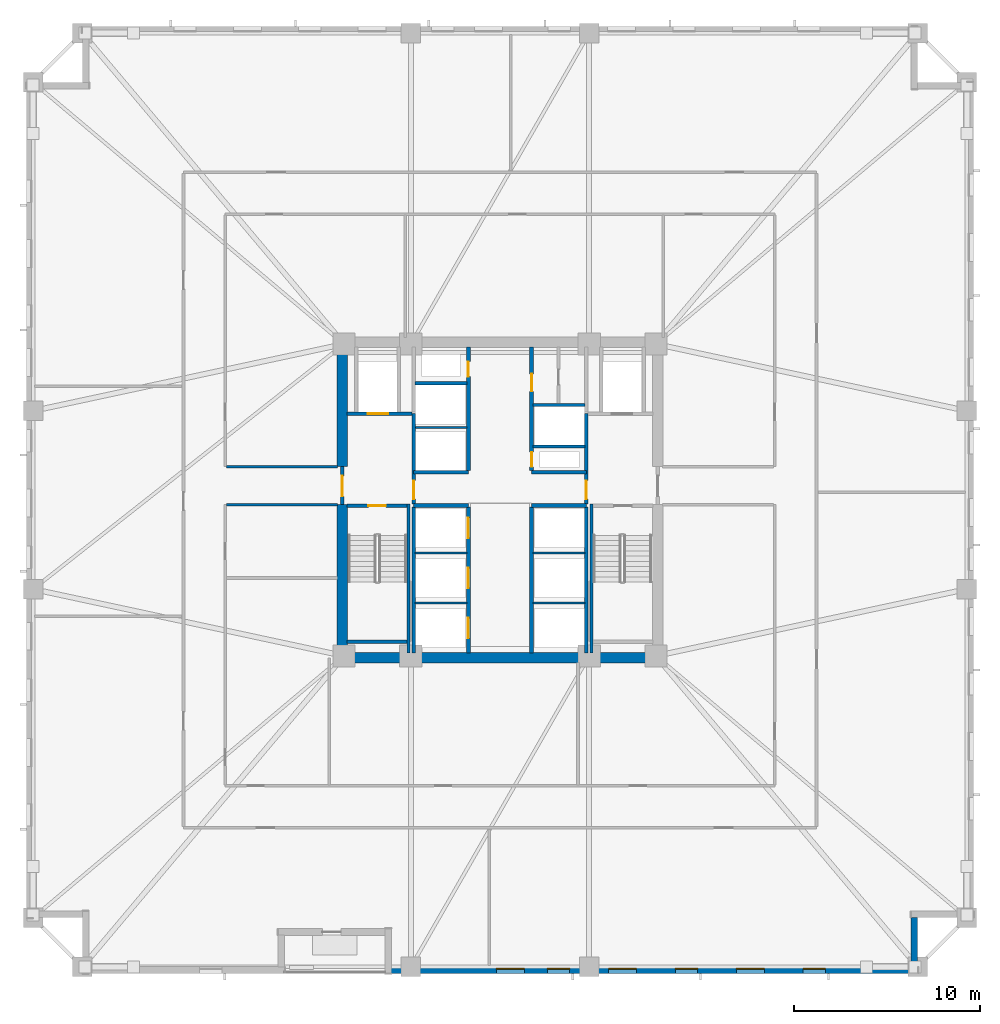
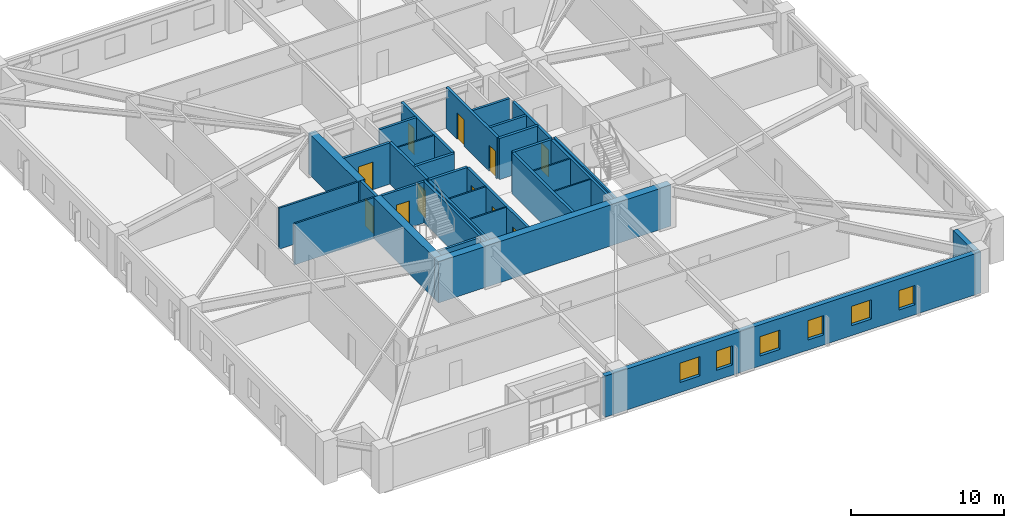
# One storey, part 3 of 10: 33 walls, 11 doors, 6 windows, 17 openings.
"""IFC4 building model written with IfcOpenShell, lengths in metres."""

from ifc_helpers import new_model, si_unit, direction, frame, frame_2d, origin, place, context, subcontext, project, spatial, rectangle, extrude, material, layer, layer_set, type_object, element, fill, save


model = new_model("IFC4")

# Units and contexts
model_context = context("Model", 3, precision=1e-05, world=origin(), true_north=direction((0.0, 1.0)))
body_context = subcontext(model_context, "Body", "Model", "MODEL_VIEW")
ifc_project = project(units=[si_unit("LENGTHUNIT", "METRE"), si_unit("AREAUNIT", "SQUARE_METRE"), si_unit("VOLUMEUNIT", "CUBIC_METRE"), si_unit("PLANEANGLEUNIT", "RADIAN"), si_unit("MASSUNIT", "GRAM", prefix="KILO")], contexts=[model_context])

# Site, building, storey
site_placement = place(None, origin())
site = spatial("IfcSite", under=ifc_project, at=site_placement, CompositionType="ELEMENT")
building_placement = place(site_placement, origin())
building = spatial("IfcBuilding", under=site, at=building_placement, Name="Cairnveth Concourse Tower", CompositionType="ELEMENT")
storey_placement = place(building_placement, frame((0.0, 0.0, 27.0)))
storey = spatial("IfcBuildingStorey", under=building, at=storey_placement, Name="L06", CompositionType="ELEMENT", Elevation=27.0)

# Walls
ifc_material_1 = material(Name="Concrete N80 (80 MPa)", Category="concrete")
ifc_layer_1 = layer(ifc_material_1, 0.550048828125)
ifc_layer_set_1 = layer_set([ifc_layer_1], Name="Concrete N80 (80 MPa)")
wall_type_1 = type_object("IfcWallType", Name="CORE SHEAR WALL 550", PredefinedType="SHEAR", material=ifc_layer_set_1)
wall_1_placement = place(storey_placement, frame((43.22509765625, 30.5, 0.0), z_axis=(0.0, 0.0, 1.0), x_axis=(1.0, 0.0, 0.0)))
element("IfcWall", 1, at=wall_1_placement, inside=storey, type_object=wall_type_1, Name="Core South Shear Wall L06", PredefinedType="SHEAR", context=body_context, shape_type="SweptSolid", body=[
    extrude(rectangle(XDim=17.5498046875, YDim=0.550048828125, at=frame_2d((8.77490234375, 0.0))), origin(), (0.0, 0.0, 1.0), 3.280029296875),
])
wall_2_placement = place(storey_placement, frame((43.5, 30.764892578125, 0.0), z_axis=(0.0, 0.0, 1.0), x_axis=(0.0, 1.0, 0.0)))
element("IfcWall", 2, at=wall_2_placement, inside=storey, type_object=wall_type_1, Name="Core West Shear Wall S L06", PredefinedType="SHEAR", context=body_context, shape_type="SweptSolid", body=[
    extrude(rectangle(XDim=7.985107421875, YDim=0.550048828125, at=frame_2d((3.99267578125, 0.0))), origin(), (0.0, 0.0, 1.0), 3.280029296875),
])
wall_3_placement = place(storey_placement, frame((43.5, 40.800048828125, 0.0), z_axis=(0.0, 0.0, 1.0), x_axis=(0.0, 1.0, 0.0)))
element("IfcWall", 3, at=wall_3_placement, inside=storey, type_object=wall_type_1, Name="Core West Shear Wall N L06", PredefinedType="SHEAR", context=body_context, shape_type="SweptSolid", body=[
    extrude(rectangle(XDim=6.43505859375, YDim=0.550048828125, at=frame_2d((3.217529296875, 0.0))), origin(), (0.0, 0.0, 1.0), 3.280029296875),
])
ifc_material_2 = material(Name="Concrete N50 (50 MPa)", Category="concrete")
ifc_layer_2 = layer(ifc_material_2, 0.179931640625)
ifc_layer_set_2 = layer_set([ifc_layer_2], Name="Concrete N50 (50 MPa)")
wall_type_2 = type_object("IfcWallType", Name="FIRE SHAFT WALL 180", PredefinedType="SOLIDWALL", material=ifc_layer_set_2)
for number, where, z_axis, x_axis, name in (
    (4, (47.35009765625, 30.760009765625, 0.0), (0.0, 0.0, 1.0), (0.0, 1.0, 0.0), "Interior Wall IW-L06-025"),
    (5, (56.64990234375, 30.760009765625, 0.0), (0.0, 0.0, 1.0), (0.0, 1.0, 0.0), "Interior Wall IW-L06-028"),
):
    element("IfcWall", number, at=place(storey_placement, frame(where, z_axis=z_axis, x_axis=x_axis)), inside=storey, type_object=wall_type_2, Name=name, PredefinedType="SOLIDWALL", context=body_context, shape_type="SweptSolid", body=[
        extrude(rectangle(XDim=7.85498046875, YDim=0.179931640625, at=frame_2d((3.927490234375, 0.0))), origin(), (0.0, 0.0, 1.0), 3.280029296875),
    ])
wall_4_placement = place(storey_placement, frame((47.425048828125, 45.280029296875, 0.0), z_axis=(0.0, 0.0, 1.0), x_axis=(1.0, 0.0, 0.0)))
element("IfcWall", 6, at=wall_4_placement, inside=storey, type_object=wall_type_2, Name="Interior Wall IW-L06-033", PredefinedType="SOLIDWALL", context=body_context, shape_type="SweptSolid", body=[
    extrude(rectangle(XDim=2.7900390625, YDim=0.179931640625, at=frame_2d((1.39501953125, 0.0))), origin(), (0.0, 0.0, 1.0), 3.280029296875),
])
wall_5_placement = place(storey_placement, frame((53.784912109375, 41.8798828125, 0.0), z_axis=(0.0, 0.0, 1.0), x_axis=(1.0, 0.0, 0.0)))
element("IfcWall", 7, at=wall_5_placement, inside=storey, type_object=wall_type_2, Name="Interior Wall IW-L06-035", PredefinedType="SOLIDWALL", context=body_context, shape_type="SweptSolid", body=[
    extrude(rectangle(XDim=2.780029296875, YDim=0.179931640625, at=frame_2d((1.39013671875, 0.0))), origin(), (0.0, 0.0, 1.0), 3.280029296875),
])
wall_6_placement = place(storey_placement, frame((53.784912109375, 44.1201171875, 0.0), z_axis=(0.0, 0.0, 1.0), x_axis=(1.0, 0.0, 0.0)))
element("IfcWall", 8, at=wall_6_placement, inside=storey, type_object=wall_type_2, Name="Interior Wall IW-L06-036", PredefinedType="SOLIDWALL", context=body_context, shape_type="SweptSolid", body=[
    extrude(rectangle(XDim=2.7900390625, YDim=0.179931640625, at=frame_2d((1.39501953125, 0.0))), origin(), (0.0, 0.0, 1.0), 3.280029296875),
])

# Wall, opening, door
wall_7_placement = place(storey_placement, frame((43.764892578125, 38.68994140625, 0.0), z_axis=(0.0, 0.0, 1.0), x_axis=(1.0, 0.0, 0.0)))
wall_7 = element("IfcWall", 9, at=wall_7_placement, inside=storey, type_object=wall_type_2, Name="Stair ST-1 Shaft Wall NEAR L06", PredefinedType="SOLIDWALL", context=body_context, shape_type="SweptSolid", body=[
    extrude(rectangle(XDim=3.230224609375, YDim=0.179931640625, at=frame_2d((1.615234375, 0.0))), origin(), (0.0, 0.0, 1.0), 3.280029296875),
])
opening_1_placement = place(wall_7_placement, frame((1.139892578125, 0.0, 0.0)))
opening_1 = element("IfcOpeningElement", 10, at=opening_1_placement, cuts=wall_7, Name="Opening ID12", PredefinedType="OPENING", context=body_context, shape_type="SweptSolid", body=[
    extrude(rectangle(XDim=0.949951171875, YDim=2.14990234375, at=frame_2d((0.47509765625, 1.074951171875))), frame((0.0, 0.099853515625, 0.0), z_axis=(0.0, -1.0, 0.0), x_axis=(1.0, 0.0, 0.0)), (0.0, 0.0, 1.0), 0.199951171875),
])
ifc_material_3 = material(Name="Steel Grade 350", Category="steel")
door_type_1 = type_object("IfcDoorType", Name="FIRE STAIR DOOR 950X2150", OperationType="NOTDEFINED", PredefinedType="DOOR", material=ifc_material_3)
door_1_placement = place(opening_1_placement, origin())
door_1 = element("IfcDoor", 11, at=door_1_placement, inside=storey, type_object=door_type_1, Name="Stair ST-1 Fire Door L06", OperationType="SINGLE_SWING_LEFT", OverallHeight=2.14990234375, OverallWidth=0.949951171875, PredefinedType="DOOR", context=body_context, shape_type="SweptSolid", body=[
    extrude(rectangle(XDim=0.949951171875, YDim=2.14990234375, at=frame_2d((0.47509765625, 1.074951171875))), frame((0.0, 0.02490234375, 0.0), z_axis=(0.0, -1.0, 0.0), x_axis=(1.0, 0.0, 0.0)), (0.0, 0.0, 1.0), 0.050048828125),
])
fill(opening_1, door_1)

# Walls
wall_8_placement = place(storey_placement, frame((43.764892578125, 31.360107421875, 0.0), z_axis=(0.0, 0.0, 1.0), x_axis=(1.0, 0.0, 0.0)))
element("IfcWall", 12, at=wall_8_placement, inside=storey, type_object=wall_type_2, Name="Stair ST-1 Shaft Wall FAR L06", PredefinedType="SOLIDWALL", context=body_context, shape_type="SweptSolid", body=[
    extrude(rectangle(XDim=3.230224609375, YDim=0.179931640625, at=frame_2d((1.615234375, 0.0))), origin(), (0.0, 0.0, 1.0), 3.280029296875),
])
for number, where, z_axis, x_axis, name in (
    (13, (47.070068359375, 38.780029296875, 0.0), (0.0, 0.0, 1.0), (0.0, -1.0, 0.0), "Stair ST-1 Shaft Wall RGHT L06"),
    (14, (56.929931640625, 38.780029296875, 0.0), (0.0, 0.0, 1.0), (0.0, -1.0, 0.0), "Stair ST-2 Shaft Wall LEFT L06"),
):
    element("IfcWall", number, at=place(storey_placement, frame(where, z_axis=z_axis, x_axis=x_axis)), inside=storey, type_object=wall_type_2, Name=name, PredefinedType="SOLIDWALL", context=body_context, shape_type="SweptSolid", body=[
        extrude(rectangle(XDim=8.01708984375, YDim=0.179931640625, at=frame_2d((4.008544921875, 0.0))), origin(), (0.0, 0.0, 1.0), 3.280029296875),
    ])
ifc_layer_3 = layer(ifc_material_2, 0.199951171875)
ifc_layer_set_3 = layer_set([ifc_layer_3], Name="Concrete N50 (50 MPa)")
wall_type_3 = type_object("IfcWallType", Name="FIRE SHAFT WALL 200", PredefinedType="SOLIDWALL", material=ifc_layer_set_3)
for number, where, z_axis, x_axis, name in (
    (15, (47.35009765625, 38.699951171875, 0.0), (0.0, 0.0, 1.0), (1.0, 0.0, 0.0), "Interior Wall IW-L06-007"),
    (16, (47.35009765625, 40.5, 0.0), (0.0, 0.0, 1.0), (1.0, 0.0, 0.0), "Interior Wall IW-L06-008"),
    (17, (53.699951171875, 38.699951171875, 0.0), (0.0, 0.0, 1.0), (1.0, 0.0, 0.0), "Interior Wall IW-L06-009"),
    (18, (53.699951171875, 40.5, 0.0), (0.0, 0.0, 1.0), (1.0, 0.0, 0.0), "Interior Wall IW-L06-010"),
):
    element("IfcWall", number, at=place(storey_placement, frame(where, z_axis=z_axis, x_axis=x_axis)), inside=storey, type_object=wall_type_3, Name=name, PredefinedType="SOLIDWALL", context=body_context, shape_type="SweptSolid", body=[
        extrude(rectangle(XDim=2.949951171875, YDim=0.199951171875, at=frame_2d((1.47509765625, 0.0))), origin(), (0.0, 0.0, 1.0), 3.280029296875),
    ])

# Wall, openings, doors
wall_9_placement = place(storey_placement, frame((50.300048828125, 30.760009765625, 0.0), z_axis=(0.0, 0.0, 1.0), x_axis=(0.0, 1.0, 0.0)))
wall_9 = element("IfcWall", 19, at=wall_9_placement, inside=storey, type_object=wall_type_3, Name="Interior Wall IW-L06-011", PredefinedType="SOLIDWALL", context=body_context, shape_type="SweptSolid", body=[
    extrude(rectangle(XDim=7.85498046875, YDim=0.199951171875, at=frame_2d((3.927490234375, 0.0))), origin(), (0.0, 0.0, 1.0), 3.280029296875),
])
opening_2_placement = place(wall_9_placement, frame((0.7900390625, 0.0, 0.0)))
opening_2 = element("IfcOpeningElement", 20, at=opening_2_placement, cuts=wall_9, Name="Opening LD-1", PredefinedType="OPENING", context=body_context, shape_type="SweptSolid", body=[
    extrude(rectangle(XDim=1.10009765625, YDim=2.199951171875, at=frame_2d((0.550048828125, 1.10009765625))), frame((0.0, 0.10986328125, 0.0), z_axis=(0.0, -1.0, 0.0), x_axis=(1.0, 0.0, 0.0)), (0.0, 0.0, 1.0), 0.219970703125),
])
opening_3_placement = place(wall_9_placement, frame((3.489990234375, 0.0, 0.0)))
opening_3 = element("IfcOpeningElement", 21, at=opening_3_placement, cuts=wall_9, Name="Opening LD-1", PredefinedType="OPENING", context=body_context, shape_type="SweptSolid", body=[
    extrude(rectangle(XDim=1.10009765625, YDim=2.199951171875, at=frame_2d((0.550048828125, 1.10009765625))), frame((0.0, 0.10986328125, 0.0), z_axis=(0.0, -1.0, 0.0), x_axis=(1.0, 0.0, 0.0)), (0.0, 0.0, 1.0), 0.219970703125),
])
opening_4_placement = place(wall_9_placement, frame((6.18994140625, 0.0, 0.0)))
opening_4 = element("IfcOpeningElement", 22, at=opening_4_placement, cuts=wall_9, Name="Opening LD-1", PredefinedType="OPENING", context=body_context, shape_type="SweptSolid", body=[
    extrude(rectangle(XDim=1.10009765625, YDim=2.199951171875, at=frame_2d((0.550048828125, 1.10009765625))), frame((0.0, 0.10986328125, 0.0), z_axis=(0.0, -1.0, 0.0), x_axis=(1.0, 0.0, 0.0)), (0.0, 0.0, 1.0), 0.219970703125),
])
ifc_material_4 = material(Name="Architectural Bronze Anodised Aluminium 6063-T6", Category="aluminium")
door_type_2 = type_object("IfcDoorType", Name="LIFT LANDING DOOR 1100X2200", OperationType="SLIDING_TO_LEFT", PredefinedType="DOOR", material=ifc_material_4)
door_2_placement = place(opening_2_placement, origin())
door_2 = element("IfcDoor", 23, at=door_2_placement, inside=storey, type_object=door_type_2, Name="Lift PL1 Landing Door L06", OperationType="SLIDING_TO_LEFT", OverallHeight=2.199951171875, OverallWidth=1.10009765625, PredefinedType="DOOR", context=body_context, shape_type="SweptSolid", body=[
    extrude(rectangle(XDim=1.10009765625, YDim=2.199951171875, at=frame_2d((0.550048828125, 1.10009765625))), frame((0.0, 0.02490234375, 0.0), z_axis=(0.0, -1.0, 0.0), x_axis=(1.0, 0.0, 0.0)), (0.0, 0.0, 1.0), 0.050048828125),
])
fill(opening_2, door_2)
door_3_placement = place(opening_3_placement, origin())
door_3 = element("IfcDoor", 24, at=door_3_placement, inside=storey, type_object=door_type_2, Name="Lift PL2 Landing Door L06", OperationType="SLIDING_TO_LEFT", OverallHeight=2.199951171875, OverallWidth=1.10009765625, PredefinedType="DOOR", context=body_context, shape_type="SweptSolid", body=[
    extrude(rectangle(XDim=1.10009765625, YDim=2.199951171875, at=frame_2d((0.550048828125, 1.10009765625))), frame((0.0, 0.02490234375, 0.0), z_axis=(0.0, -1.0, 0.0), x_axis=(1.0, 0.0, 0.0)), (0.0, 0.0, 1.0), 0.050048828125),
])
fill(opening_3, door_3)
door_4_placement = place(opening_4_placement, origin())
door_4 = element("IfcDoor", 25, at=door_4_placement, inside=storey, type_object=door_type_2, Name="Lift PL3 Landing Door L06", OperationType="SLIDING_TO_LEFT", OverallHeight=2.199951171875, OverallWidth=1.10009765625, PredefinedType="DOOR", context=body_context, shape_type="SweptSolid", body=[
    extrude(rectangle(XDim=1.10009765625, YDim=2.199951171875, at=frame_2d((0.550048828125, 1.10009765625))), frame((0.0, 0.02490234375, 0.0), z_axis=(0.0, -1.0, 0.0), x_axis=(1.0, 0.0, 0.0)), (0.0, 0.0, 1.0), 0.050048828125),
])
fill(opening_4, door_4)

# Wall
wall_10_placement = place(storey_placement, frame((53.699951171875, 30.760009765625, 0.0), z_axis=(0.0, 0.0, 1.0), x_axis=(0.0, 1.0, 0.0)))
element("IfcWall", 26, at=wall_10_placement, inside=storey, type_object=wall_type_3, Name="Interior Wall IW-L06-012", PredefinedType="SOLIDWALL", context=body_context, shape_type="SweptSolid", body=[
    extrude(rectangle(XDim=7.85498046875, YDim=0.199951171875, at=frame_2d((3.927490234375, 0.0))), origin(), (0.0, 0.0, 1.0), 3.280029296875),
])

# Wall, opening, door
wall_11_placement = place(storey_placement, frame((50.300048828125, 40.5849609375, 0.0), z_axis=(0.0, 0.0, 1.0), x_axis=(0.0, 1.0, 0.0)))
wall_11 = element("IfcWall", 27, at=wall_11_placement, inside=storey, type_object=wall_type_3, Name="Interior Wall IW-L06-013", PredefinedType="SOLIDWALL", context=body_context, shape_type="SweptSolid", body=[
    extrude(rectangle(XDim=6.655029296875, YDim=0.199951171875, at=frame_2d((3.32763671875, 0.0))), origin(), (0.0, 0.0, 1.0), 3.280029296875),
])
opening_5_placement = place(wall_11_placement, frame((5.06494140625, 0.0, 0.0)))
opening_5 = element("IfcOpeningElement", 28, at=opening_5_placement, cuts=wall_11, Name="Opening ID24", PredefinedType="OPENING", context=body_context, shape_type="SweptSolid", body=[
    extrude(rectangle(XDim=0.800048828125, YDim=2.080078125, at=frame_2d((0.39990234375, 1.0400390625))), frame((0.0, 0.10986328125, 0.0), z_axis=(0.0, -1.0, 0.0), x_axis=(1.0, 0.0, 0.0)), (0.0, 0.0, 1.0), 0.219970703125),
])
door_type_3 = type_object("IfcDoorType", Name="RISER ACCESS DOOR 800X2100", OperationType="NOTDEFINED", PredefinedType="DOOR", material=ifc_material_3)
door_5_placement = place(opening_5_placement, origin())
door_5 = element("IfcDoor", 29, at=door_5_placement, inside=storey, type_object=door_type_3, Name="NW Electrical Riser Access Door L06", OperationType="SINGLE_SWING_RIGHT", OverallHeight=2.080078125, OverallWidth=0.800048828125, PredefinedType="DOOR", context=body_context, shape_type="SweptSolid", body=[
    extrude(rectangle(XDim=0.800048828125, YDim=2.080078125, at=frame_2d((0.39990234375, 1.0400390625))), frame((0.0, 0.02490234375, 0.0), z_axis=(0.0, -1.0, 0.0), x_axis=(1.0, 0.0, 0.0)), (0.0, 0.0, 1.0), 0.050048828125),
])
fill(opening_5, door_5)

# Wall, openings, doors
wall_12_placement = place(storey_placement, frame((53.699951171875, 40.5849609375, 0.0), z_axis=(0.0, 0.0, 1.0), x_axis=(0.0, 1.0, 0.0)))
wall_12 = element("IfcWall", 30, at=wall_12_placement, inside=storey, type_object=wall_type_3, Name="Interior Wall IW-L06-014", PredefinedType="SOLIDWALL", context=body_context, shape_type="SweptSolid", body=[
    extrude(rectangle(XDim=6.655029296875, YDim=0.199951171875, at=frame_2d((3.32763671875, 0.0))), origin(), (0.0, 0.0, 1.0), 3.280029296875),
])
opening_6_placement = place(wall_12_placement, frame((0.195068359375, 0.0, 0.0)))
opening_6 = element("IfcOpeningElement", 31, at=opening_6_placement, cuts=wall_12, Name="Opening ID24", PredefinedType="OPENING", context=body_context, shape_type="SweptSolid", body=[
    extrude(rectangle(XDim=0.800048828125, YDim=2.080078125, at=frame_2d((0.39990234375, 1.0400390625))), frame((0.0, 0.10986328125, 0.0), z_axis=(0.0, -1.0, 0.0), x_axis=(1.0, 0.0, 0.0)), (0.0, 0.0, 1.0), 0.219970703125),
])
opening_7_placement = place(wall_12_placement, frame((4.264892578125, 0.0, 0.0)))
opening_7 = element("IfcOpeningElement", 32, at=opening_7_placement, cuts=wall_12, Name="Opening ID25", PredefinedType="OPENING", context=body_context, shape_type="SweptSolid", body=[
    extrude(rectangle(XDim=0.949951171875, YDim=2.1201171875, at=frame_2d((0.47509765625, 1.06005859375))), frame((0.0, 0.10986328125, 0.0), z_axis=(0.0, -1.0, 0.0), x_axis=(1.0, 0.0, 0.0)), (0.0, 0.0, 1.0), 0.219970703125),
])
door_type_4 = type_object("IfcDoorType", Name="CORE ACCESSIBLE FIRE DOOR 950X2120", OperationType="NOTDEFINED", PredefinedType="DOOR", material=ifc_material_3)
door_6_placement = place(opening_7_placement, origin())
door_6 = element("IfcDoor", 33, at=door_6_placement, inside=storey, type_object=door_type_4, Name="Core NE Restroom Door L06", OperationType="SINGLE_SWING_RIGHT", OverallHeight=2.1201171875, OverallWidth=0.949951171875, PredefinedType="DOOR", context=body_context, shape_type="SweptSolid", body=[
    extrude(rectangle(XDim=0.949951171875, YDim=2.1201171875, at=frame_2d((0.47509765625, 1.06005859375))), frame((0.0, 0.02490234375, 0.0), z_axis=(0.0, -1.0, 0.0), x_axis=(1.0, 0.0, 0.0)), (0.0, 0.0, 1.0), 0.050048828125),
])
fill(opening_7, door_6)
door_7_placement = place(opening_6_placement, origin())
door_7 = element("IfcDoor", 34, at=door_7_placement, inside=storey, type_object=door_type_3, Name="Hydraulic Riser Door L06", OperationType="SINGLE_SWING_LEFT", OverallHeight=2.080078125, OverallWidth=0.800048828125, PredefinedType="DOOR", context=body_context, shape_type="SweptSolid", body=[
    extrude(rectangle(XDim=0.800048828125, YDim=2.080078125, at=frame_2d((0.39990234375, 1.0400390625))), frame((0.0, 0.02490234375, 0.0), z_axis=(0.0, -1.0, 0.0), x_axis=(1.0, 0.0, 0.0)), (0.0, 0.0, 1.0), 0.050048828125),
])
fill(opening_6, door_7)

# Wall, opening, door
wall_13_placement = place(storey_placement, frame((43.5, 38.75, 0.0), z_axis=(0.0, 0.0, 1.0), x_axis=(0.0, 1.0, 0.0)))
wall_13 = element("IfcWall", 35, at=wall_13_placement, inside=storey, type_object=wall_type_3, Name="Interior Wall IW-L06-015", PredefinedType="SOLIDWALL", context=body_context, shape_type="SweptSolid", body=[
    extrude(rectangle(XDim=2.050048828125, YDim=0.199951171875, at=frame_2d((1.02490234375, 0.0))), origin(), (0.0, 0.0, 1.0), 3.280029296875),
])
opening_8_placement = place(wall_13_placement, frame((0.449951171875, 0.0, 0.0)))
opening_8 = element("IfcOpeningElement", 36, at=opening_8_placement, cuts=wall_13, Name="Opening ID06", PredefinedType="OPENING", context=body_context, shape_type="SweptSolid", body=[
    extrude(rectangle(XDim=1.10009765625, YDim=2.14990234375, at=frame_2d((0.550048828125, 1.074951171875))), frame((0.0, 0.10986328125, 0.0), z_axis=(0.0, -1.0, 0.0), x_axis=(1.0, 0.0, 0.0)), (0.0, 0.0, 1.0), 0.219970703125),
])
door_type_5 = type_object("IfcDoorType", Name="FIRE CORRIDOR DOOR 1100X2150", OperationType="NOTDEFINED", PredefinedType="DOOR", material=ifc_material_3)
door_8_placement = place(opening_8_placement, origin())
door_8 = element("IfcDoor", 37, at=door_8_placement, inside=storey, type_object=door_type_5, Name="West Wing to FF Lobby Door L06", OperationType="SINGLE_SWING_LEFT", OverallHeight=2.14990234375, OverallWidth=1.10009765625, PredefinedType="DOOR", context=body_context, shape_type="SweptSolid", body=[
    extrude(rectangle(XDim=1.10009765625, YDim=2.14990234375, at=frame_2d((0.550048828125, 1.074951171875))), frame((0.0, 0.02490234375, 0.0), z_axis=(0.0, -1.0, 0.0), x_axis=(1.0, 0.0, 0.0)), (0.0, 0.0, 1.0), 0.050048828125),
])
fill(opening_8, door_8)

wall_14_placement = place(storey_placement, frame((47.35009765625, 38.784912109375, 0.0), z_axis=(0.0, 0.0, 1.0), x_axis=(0.0, 1.0, 0.0)))
wall_14 = element("IfcWall", 38, at=wall_14_placement, inside=storey, type_object=wall_type_3, Name="Interior Wall IW-L06-016", PredefinedType="SOLIDWALL", context=body_context, shape_type="SweptSolid", body=[
    extrude(rectangle(XDim=4.864990234375, YDim=0.199951171875, at=frame_2d((2.4326171875, 0.0))), origin(), (0.0, 0.0, 1.0), 3.280029296875),
])
opening_9_placement = place(wall_14_placement, frame((0.264892578125, 0.0, 0.0)))
opening_9 = element("IfcOpeningElement", 39, at=opening_9_placement, cuts=wall_14, Name="Opening ID07", PredefinedType="OPENING", context=body_context, shape_type="SweptSolid", body=[
    extrude(rectangle(XDim=1.0, YDim=2.14990234375, at=frame_2d((0.5, 1.074951171875))), frame((0.0, 0.10986328125, 0.0), z_axis=(0.0, -1.0, 0.0), x_axis=(1.0, 0.0, 0.0)), (0.0, 0.0, 1.0), 0.219970703125),
])
door_type_6 = type_object("IfcDoorType", Name="FIRE CORRIDOR DOOR 1000X2150", OperationType="NOTDEFINED", PredefinedType="DOOR", material=ifc_material_3)
door_9_placement = place(opening_9_placement, origin())
door_9 = element("IfcDoor", 40, at=door_9_placement, inside=storey, type_object=door_type_6, Name="FF Lobby West to Lift Lobby Door L06", OperationType="SINGLE_SWING_RIGHT", OverallHeight=2.14990234375, OverallWidth=1.0, PredefinedType="DOOR", context=body_context, shape_type="SweptSolid", body=[
    extrude(rectangle(XDim=1.0, YDim=2.14990234375, at=frame_2d((0.5, 1.074951171875))), frame((0.0, 0.02490234375, 0.0), z_axis=(0.0, -1.0, 0.0), x_axis=(1.0, 0.0, 0.0)), (0.0, 0.0, 1.0), 0.050048828125),
])
fill(opening_9, door_9)

wall_15_placement = place(storey_placement, frame((43.760009765625, 43.64990234375, 0.0), z_axis=(0.0, 0.0, 1.0), x_axis=(1.0, 0.0, 0.0)))
wall_15 = element("IfcWall", 41, at=wall_15_placement, inside=storey, type_object=wall_type_3, Name="Interior Wall IW-L06-017", PredefinedType="SOLIDWALL", context=body_context, shape_type="SweptSolid", body=[
    extrude(rectangle(XDim=3.5048828125, YDim=0.199951171875, at=frame_2d((1.75244140625, 0.0))), origin(), (0.0, 0.0, 1.0), 3.280029296875),
])
opening_10_placement = place(wall_15_placement, frame((1.110107421875, 0.0, 0.0)))
opening_10 = element("IfcOpeningElement", 42, at=opening_10_placement, cuts=wall_15, Name="Opening LD-1", PredefinedType="OPENING", context=body_context, shape_type="SweptSolid", body=[
    extrude(rectangle(XDim=1.10009765625, YDim=2.199951171875, at=frame_2d((0.550048828125, 1.10009765625))), frame((0.0, 0.10986328125, 0.0), z_axis=(0.0, -1.0, 0.0), x_axis=(1.0, 0.0, 0.0)), (0.0, 0.0, 1.0), 0.219970703125),
])
door_10_placement = place(opening_10_placement, origin())
door_10 = element("IfcDoor", 43, at=door_10_placement, inside=storey, type_object=door_type_2, Name="Lift FFL1 Landing Door L06", OperationType="SLIDING_TO_LEFT", OverallHeight=2.199951171875, OverallWidth=1.10009765625, PredefinedType="DOOR", context=body_context, shape_type="SweptSolid", body=[
    extrude(rectangle(XDim=1.10009765625, YDim=2.199951171875, at=frame_2d((0.550048828125, 1.10009765625))), frame((0.0, 0.02490234375, 0.0), z_axis=(0.0, -1.0, 0.0), x_axis=(1.0, 0.0, 0.0)), (0.0, 0.0, 1.0), 0.050048828125),
])
fill(opening_10, door_10)

wall_16_placement = place(storey_placement, frame((56.64990234375, 38.784912109375, 0.0), z_axis=(0.0, 0.0, 1.0), x_axis=(0.0, 1.0, 0.0)))
wall_16 = element("IfcWall", 44, at=wall_16_placement, inside=storey, type_object=wall_type_3, Name="Interior Wall IW-L06-021", PredefinedType="SOLIDWALL", context=body_context, shape_type="SweptSolid", body=[
    extrude(rectangle(XDim=4.864990234375, YDim=0.199951171875, at=frame_2d((2.4326171875, 0.0))), origin(), (0.0, 0.0, 1.0), 3.280029296875),
])
opening_11_placement = place(wall_16_placement, frame((0.264892578125, 0.0, 0.0)))
opening_11 = element("IfcOpeningElement", 45, at=opening_11_placement, cuts=wall_16, Name="Opening ID07", PredefinedType="OPENING", context=body_context, shape_type="SweptSolid", body=[
    extrude(rectangle(XDim=1.0, YDim=2.14990234375, at=frame_2d((0.5, 1.074951171875))), frame((0.0, 0.10986328125, 0.0), z_axis=(0.0, -1.0, 0.0), x_axis=(1.0, 0.0, 0.0)), (0.0, 0.0, 1.0), 0.219970703125),
])
door_11_placement = place(opening_11_placement, origin())
door_11 = element("IfcDoor", 46, at=door_11_placement, inside=storey, type_object=door_type_6, Name="FF Lobby East to Lift Lobby Door L06", OperationType="SINGLE_SWING_LEFT", OverallHeight=2.14990234375, OverallWidth=1.0, PredefinedType="DOOR", context=body_context, shape_type="SweptSolid", body=[
    extrude(rectangle(XDim=1.0, YDim=2.14990234375, at=frame_2d((0.5, 1.074951171875))), frame((0.0, 0.02490234375, 0.0), z_axis=(0.0, -1.0, 0.0), x_axis=(1.0, 0.0, 0.0)), (0.0, 0.0, 1.0), 0.050048828125),
])
fill(opening_11, door_11)

# Walls
ifc_material_5 = material(Name="Gypsum Plasterboard Partition", Category="gypsum")
ifc_layer_4 = layer(ifc_material_5, 0.139892578125)
ifc_layer_set_4 = layer_set([ifc_layer_4], Name="Gypsum Plasterboard Partition")
wall_type_4 = type_object("IfcWallType", Name="GYPSUM STUD PARTITION 140", PredefinedType="PARTITIONING", material=ifc_layer_set_4)
for number, where, z_axis, x_axis, name in (
    (47, (37.2548828125, 38.75, 0.0), (0.0, 0.0, 1.0), (1.0, 0.0, 0.0), "Interior Wall IW-L06-046"),
    (48, (37.2548828125, 40.800048828125, 0.0), (0.0, 0.0, 1.0), (1.0, 0.0, 0.0), "Interior Wall IW-L06-047"),
):
    element("IfcWall", number, at=place(storey_placement, frame(where, z_axis=z_axis, x_axis=x_axis)), inside=storey, type_object=wall_type_4, Name=name, PredefinedType="PARTITIONING", context=body_context, shape_type="SweptSolid", body=[
        extrude(rectangle(XDim=5.985107421875, YDim=0.139892578125, at=frame_2d((2.99267578125, 0.0))), origin(), (0.0, 0.0, 1.0), 3.280029296875),
    ])
ifc_layer_5 = layer(ifc_material_5, 0.110107421875)
ifc_layer_set_5 = layer_set([ifc_layer_5], Name="Gypsum Plasterboard Partition")
wall_type_5 = type_object("IfcWallType", Name="SHAFT DIVIDER WALL 140", PredefinedType="PARTITIONING", material=ifc_layer_set_5)
for number, where, z_axis, x_axis, name in (
    (49, (47.425048828125, 33.449951171875, 0.0), (0.0, 0.0, 1.0), (1.0, 0.0, 0.0), "Interior Wall IW-L06-026"),
    (50, (47.425048828125, 36.14990234375, 0.0), (0.0, 0.0, 1.0), (1.0, 0.0, 0.0), "Interior Wall IW-L06-027"),
    (51, (53.784912109375, 33.449951171875, 0.0), (0.0, 0.0, 1.0), (1.0, 0.0, 0.0), "Interior Wall IW-L06-029"),
    (52, (53.784912109375, 36.14990234375, 0.0), (0.0, 0.0, 1.0), (1.0, 0.0, 0.0), "Interior Wall IW-L06-030"),
):
    element("IfcWall", number, at=place(storey_placement, frame(where, z_axis=z_axis, x_axis=x_axis)), inside=storey, type_object=wall_type_5, Name=name, PredefinedType="PARTITIONING", context=body_context, shape_type="SweptSolid", body=[
        extrude(rectangle(XDim=2.7900390625, YDim=0.110107421875, at=frame_2d((1.39501953125, 0.0))), origin(), (0.0, 0.0, 1.0), 3.280029296875),
    ])
wall_17_placement = place(storey_placement, frame((47.43505859375, 42.89990234375, 0.0), z_axis=(0.0, 0.0, 1.0), x_axis=(1.0, 0.0, 0.0)))
element("IfcWall", 53, at=wall_17_placement, inside=storey, type_object=wall_type_5, Name="Interior Wall IW-L06-032", PredefinedType="PARTITIONING", context=body_context, shape_type="SweptSolid", body=[
    extrude(rectangle(XDim=2.780029296875, YDim=0.110107421875, at=frame_2d((1.39013671875, 0.0))), origin(), (0.0, 0.0, 1.0), 3.280029296875),
])
ifc_material_6 = material(Name="Hawthorn Red-Ochre Fired Clay Brick Masonry", Category="masonry")
ifc_layer_6 = layer(ifc_material_6, 0.360107421875)
ifc_layer_set_6 = layer_set([ifc_layer_6], Name="Hawthorn Red-Ochre Fired Clay Brick Masonry")
wall_type_6 = type_object("IfcWallType", Name="ZONE 1 BRICK PIER SPANDREL WALL 360", PredefinedType="SOLIDWALL", material=ifc_layer_set_6)
wall_18_placement = place(storey_placement, frame((74.320068359375, 16.52197265625, 0.0), z_axis=(0.0, 0.0, 1.0), x_axis=(0.0, -1.0, 0.0)))
element("IfcWall", 54, at=wall_18_placement, inside=storey, type_object=wall_type_6, Name="Exterior Wall EW-L06-S11", PredefinedType="SOLIDWALL", context=body_context, shape_type="SweptSolid", body=[
    extrude(rectangle(XDim=2.68408203125, YDim=0.360107421875, at=frame_2d((1.342041015625, 0.0))), origin(), (0.0, 0.0, 1.0), 3.280029296875),
])

# Wall, openings, windows
wall_19_placement = place(storey_placement, frame((74.5, 13.679931640625, 0.0), z_axis=(0.0, 0.0, 1.0), x_axis=(-1.0, 0.0, 0.0)))
wall_19 = element("IfcWall", 55, at=wall_19_placement, inside=storey, type_object=wall_type_6, Name="Exterior Wall EW-L06-S12", PredefinedType="SOLIDWALL", context=body_context, shape_type="SweptSolid", body=[
    extrude(rectangle(XDim=28.362060546875, YDim=0.360107421875, at=frame_2d((14.18115234375, 0.0))), origin(), (0.0, 0.0, 1.0), 3.280029296875),
])
opening_12_placement = place(wall_19_placement, frame((4.9716796875, 0.0, 0.800048828125)))
opening_12 = element("IfcOpeningElement", 56, at=opening_12_placement, cuts=wall_19, Name="Opening W01", PredefinedType="OPENING", context=body_context, shape_type="SweptSolid", body=[
    extrude(rectangle(XDim=1.199951171875, YDim=1.5439453125, at=frame_2d((0.60009765625, 0.77197265625))), frame((0.0, 0.18994140625, 0.0), z_axis=(0.0, -1.0, 0.0), x_axis=(1.0, 0.0, 0.0)), (0.0, 0.0, 1.0), 0.380126953125),
])
opening_13_placement = place(wall_19_placement, frame((8.265380859375, 0.0, 0.800048828125)))
opening_13 = element("IfcOpeningElement", 57, at=opening_13_placement, cuts=wall_19, Name="Opening W03", PredefinedType="OPENING", context=body_context, shape_type="SweptSolid", body=[
    extrude(rectangle(XDim=1.5, YDim=1.5439453125, at=frame_2d((0.75, 0.77197265625))), frame((0.0, 0.18994140625, 0.0), z_axis=(0.0, -1.0, 0.0), x_axis=(1.0, 0.0, 0.0)), (0.0, 0.0, 1.0), 0.380126953125),
])
opening_14_placement = place(wall_19_placement, frame((11.859130859375, 0.0, 0.800048828125)))
opening_14 = element("IfcOpeningElement", 58, at=opening_14_placement, cuts=wall_19, Name="Opening W01", PredefinedType="OPENING", context=body_context, shape_type="SweptSolid", body=[
    extrude(rectangle(XDim=1.199951171875, YDim=1.5439453125, at=frame_2d((0.60009765625, 0.77197265625))), frame((0.0, 0.18994140625, 0.0), z_axis=(0.0, -1.0, 0.0), x_axis=(1.0, 0.0, 0.0)), (0.0, 0.0, 1.0), 0.380126953125),
])
opening_15_placement = place(wall_19_placement, frame((15.15283203125, 0.0, 0.800048828125)))
opening_15 = element("IfcOpeningElement", 59, at=opening_15_placement, cuts=wall_19, Name="Opening W03", PredefinedType="OPENING", context=body_context, shape_type="SweptSolid", body=[
    extrude(rectangle(XDim=1.5, YDim=1.5439453125, at=frame_2d((0.75, 0.77197265625))), frame((0.0, 0.18994140625, 0.0), z_axis=(0.0, -1.0, 0.0), x_axis=(1.0, 0.0, 0.0)), (0.0, 0.0, 1.0), 0.380126953125),
])
opening_16_placement = place(wall_19_placement, frame((18.74658203125, 0.0, 0.800048828125)))
opening_16 = element("IfcOpeningElement", 60, at=opening_16_placement, cuts=wall_19, Name="Opening W01", PredefinedType="OPENING", context=body_context, shape_type="SweptSolid", body=[
    extrude(rectangle(XDim=1.199951171875, YDim=1.5439453125, at=frame_2d((0.60009765625, 0.77197265625))), frame((0.0, 0.18994140625, 0.0), z_axis=(0.0, -1.0, 0.0), x_axis=(1.0, 0.0, 0.0)), (0.0, 0.0, 1.0), 0.380126953125),
])
opening_17_placement = place(wall_19_placement, frame((21.190185546875, 0.0, 0.800048828125)))
opening_17 = element("IfcOpeningElement", 61, at=opening_17_placement, cuts=wall_19, Name="Opening W03", PredefinedType="OPENING", context=body_context, shape_type="SweptSolid", body=[
    extrude(rectangle(XDim=1.5, YDim=1.5439453125, at=frame_2d((0.75, 0.77197265625))), frame((0.0, 0.18994140625, 0.0), z_axis=(0.0, -1.0, 0.0), x_axis=(1.0, 0.0, 0.0)), (0.0, 0.0, 1.0), 0.380126953125),
])
ifc_material_7 = material(Name="Double Glazed Low-E Clear Glass", Category="glass")
window_type_1 = type_object("IfcWindowType", Name="DEEP-SET GOTHIC LANCET WINDOW 1200X1800", PartitioningType="DOUBLE_PANEL_VERTICAL", PredefinedType="WINDOW", material=ifc_material_7)
window_1_placement = place(opening_12_placement, origin())
window_1 = element("IfcWindow", 62, at=window_1_placement, inside=storey, type_object=window_type_1, Name="Gothic Lancet Window L06-12-1", OverallHeight=1.5439453125, OverallWidth=1.199951171875, PartitioningType="SINGLE_PANEL", PredefinedType="WINDOW", context=body_context, shape_type="SweptSolid", body=[
    extrude(rectangle(XDim=1.199951171875, YDim=1.5439453125, at=frame_2d((0.60009765625, 0.77197265625))), frame((0.0, -0.050048828125, 0.0), z_axis=(0.0, -1.0, 0.0), x_axis=(1.0, 0.0, 0.0)), (0.0, 0.0, 1.0), 0.06005859375),
])
fill(opening_12, window_1)
window_2_placement = place(opening_14_placement, origin())
window_2 = element("IfcWindow", 63, at=window_2_placement, inside=storey, type_object=window_type_1, Name="Gothic Lancet Window L06-12-3", OverallHeight=1.5439453125, OverallWidth=1.199951171875, PartitioningType="SINGLE_PANEL", PredefinedType="WINDOW", context=body_context, shape_type="SweptSolid", body=[
    extrude(rectangle(XDim=1.199951171875, YDim=1.5439453125, at=frame_2d((0.60009765625, 0.77197265625))), frame((0.0, -0.050048828125, 0.0), z_axis=(0.0, -1.0, 0.0), x_axis=(1.0, 0.0, 0.0)), (0.0, 0.0, 1.0), 0.06005859375),
])
fill(opening_14, window_2)
window_3_placement = place(opening_16_placement, origin())
window_3 = element("IfcWindow", 64, at=window_3_placement, inside=storey, type_object=window_type_1, Name="Gothic Lancet Window L06-12-5", OverallHeight=1.5439453125, OverallWidth=1.199951171875, PartitioningType="SINGLE_PANEL", PredefinedType="WINDOW", context=body_context, shape_type="SweptSolid", body=[
    extrude(rectangle(XDim=1.199951171875, YDim=1.5439453125, at=frame_2d((0.60009765625, 0.77197265625))), frame((0.0, -0.050048828125, 0.0), z_axis=(0.0, -1.0, 0.0), x_axis=(1.0, 0.0, 0.0)), (0.0, 0.0, 1.0), 0.06005859375),
])
fill(opening_16, window_3)
window_type_2 = type_object("IfcWindowType", Name="DEEP-SET GOTHIC LANCET WINDOW 1500X1800", PartitioningType="DOUBLE_PANEL_VERTICAL", PredefinedType="WINDOW", material=ifc_material_7)
window_4_placement = place(opening_13_placement, origin())
window_4 = element("IfcWindow", 65, at=window_4_placement, inside=storey, type_object=window_type_2, Name="Gothic Lancet Window L06-12-2", OverallHeight=1.5439453125, OverallWidth=1.5, PartitioningType="SINGLE_PANEL", PredefinedType="WINDOW", context=body_context, shape_type="SweptSolid", body=[
    extrude(rectangle(XDim=1.5, YDim=1.5439453125, at=frame_2d((0.75, 0.77197265625))), frame((0.0, -0.050048828125, 0.0), z_axis=(0.0, -1.0, 0.0), x_axis=(1.0, 0.0, 0.0)), (0.0, 0.0, 1.0), 0.06005859375),
])
fill(opening_13, window_4)
window_5_placement = place(opening_15_placement, origin())
window_5 = element("IfcWindow", 66, at=window_5_placement, inside=storey, type_object=window_type_2, Name="Gothic Lancet Window L06-12-4", OverallHeight=1.5439453125, OverallWidth=1.5, PartitioningType="SINGLE_PANEL", PredefinedType="WINDOW", context=body_context, shape_type="SweptSolid", body=[
    extrude(rectangle(XDim=1.5, YDim=1.5439453125, at=frame_2d((0.75, 0.77197265625))), frame((0.0, -0.050048828125, 0.0), z_axis=(0.0, -1.0, 0.0), x_axis=(1.0, 0.0, 0.0)), (0.0, 0.0, 1.0), 0.06005859375),
])
fill(opening_15, window_5)
window_6_placement = place(opening_17_placement, origin())
window_6 = element("IfcWindow", 67, at=window_6_placement, inside=storey, type_object=window_type_2, Name="Gothic Lancet Window L06-12-6", OverallHeight=1.5439453125, OverallWidth=1.5, PartitioningType="SINGLE_PANEL", PredefinedType="WINDOW", context=body_context, shape_type="SweptSolid", body=[
    extrude(rectangle(XDim=1.5, YDim=1.5439453125, at=frame_2d((0.75, 0.77197265625))), frame((0.0, -0.050048828125, 0.0), z_axis=(0.0, -1.0, 0.0), x_axis=(1.0, 0.0, 0.0)), (0.0, 0.0, 1.0), 0.06005859375),
])
fill(opening_17, window_6)

save(model, "model.ifc")
